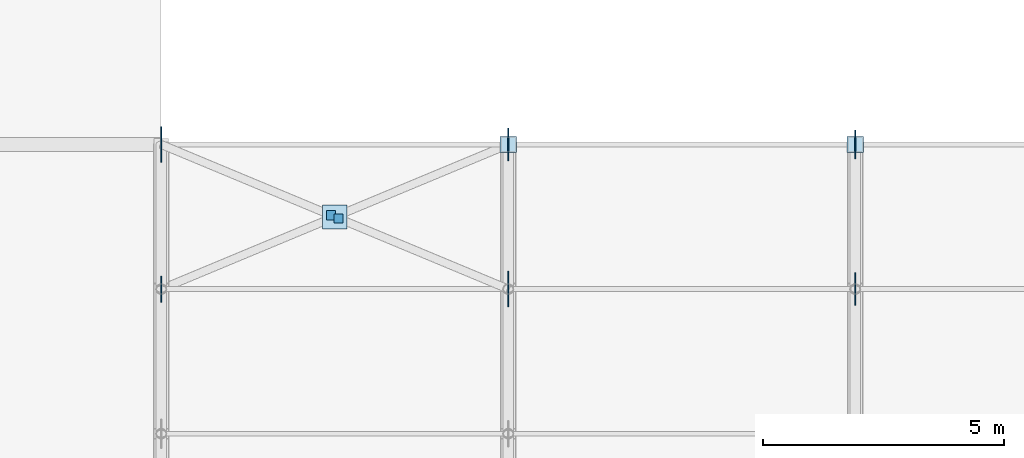
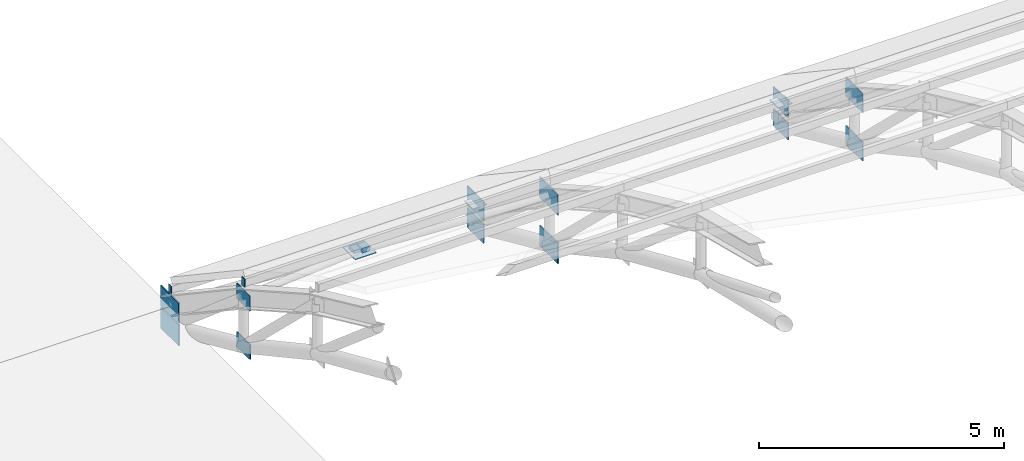
# One storey, part 50 of 63: 19 plates.
"""IFC4 building model written with IfcOpenShell, lengths in metres."""

from ifc_helpers import new_model, si_unit, direction, frame, origin, origin_2d, place, context, subcontext, project, spatial, rectangle, extrude, material, layer, layer_set, type_object, element, save


model = new_model("IFC4")

# Units and contexts
model_context = context("Model", 3, precision=1e-05, world=origin(), true_north=direction((0.0, 1.0)))
body_context = subcontext(model_context, "Body", "Model", "MODEL_VIEW")
ifc_project = project(units=[si_unit("LENGTHUNIT", "METRE"), si_unit("AREAUNIT", "SQUARE_METRE"), si_unit("VOLUMEUNIT", "CUBIC_METRE"), si_unit("PLANEANGLEUNIT", "RADIAN"), si_unit("MASSUNIT", "GRAM", prefix="KILO")], contexts=[model_context])

# Site, building, storey
site_placement = place(None, origin())
site = spatial("IfcSite", under=ifc_project, at=site_placement, CompositionType="ELEMENT")
building_placement = place(site_placement, origin())
building = spatial("IfcBuilding", under=site, at=building_placement, Name="Solvadek Multi-Sports Hall", CompositionType="ELEMENT")
storey_placement = place(building_placement, frame((0.0, 0.0, 19.199951171875)))
storey = spatial("IfcBuildingStorey", under=building, at=storey_placement, Name="RF", CompositionType="ELEMENT", Elevation=19.199951171875)

# Plates
ifc_material = material(Name="Steel E350 (350 MPa)", Category="steel")
ifc_layer_1 = layer(ifc_material, 0.01611328125, Name="Steel E350 (350 MPa)")
ifc_layer_set_1 = layer_set([ifc_layer_1], Name="Steel E350 (350 MPa)")
plate_type_1 = type_object("IfcPlateType", Name="STR-PLT-CAP16", PredefinedType="USERDEFINED", material=ifc_layer_set_1)
for number, where, z_axis, x_axis, name in (
    (1, (86.39599609375, 39.0, -1.28125), (0.0, 0.0, 1.0), (1.0, 0.0, 0.0), "V1 Purlin End Cap Plate #8"),
    (2, (86.39599609375, 42.0, -3.28515625), (0.0, 0.0, 1.0), (1.0, 0.0, 0.0), "V1 Purlin End Cap Plate #9"),
):
    element("IfcPlate", number, at=place(storey_placement, frame(where, z_axis=z_axis, x_axis=x_axis)), inside=storey, type_object=plate_type_1, Name=name, ObjectType="BASE_PLATE", PredefinedType="USERDEFINED", context=body_context, shape_type="SweptSolid", body=[
        extrude(rectangle(XDim=0.01611328125, YDim=0.1201171875, at=origin_2d()), origin(), (0.0, 0.0, 1.0), 0.219970703125),
    ])
for number, where, z_axis, x_axis, name in (
    (3, (89.92138671875, 40.53271484375, -2.6748046875), (0.0, 0.0, 1.0), (1.0, 0.0, 0.0), "V1 Half-Brace End Cap #12"),
    (4, (90.07861328125, 40.46728515625, -2.630859375), (0.0, 0.0, 1.0), (1.0, 0.0, 0.0), "V1 Half-Brace End Cap #13"),
):
    element("IfcPlate", number, at=place(storey_placement, frame(where, z_axis=z_axis, x_axis=x_axis)), inside=storey, type_object=plate_type_1, Name=name, ObjectType="BASE_PLATE", PredefinedType="USERDEFINED", context=body_context, shape_type="SweptSolid", body=[
        extrude(rectangle(XDim=0.18994140625, YDim=0.18994140625, at=origin_2d()), origin(), (0.0, 0.0, 1.0), 0.2099609375),
    ])
ifc_layer_2 = layer(ifc_material, 0.02001953125, Name="Steel E350 (350 MPa)")
ifc_layer_set_2 = layer_set([ifc_layer_2], Name="Steel E350 (350 MPa)")
plate_type_2 = type_object("IfcPlateType", Name="STR-PLT-CAP340", PredefinedType="USERDEFINED", material=ifc_layer_set_2)
for number, where, z_axis, x_axis, name in (
    (5, (93.60009765625, 42.0, -3.550048828125), (0.0, 0.0, 1.0), (1.0, 0.0, 0.0), "v1 Bearing Post Cap #2.8"),
    (6, (100.800048828125, 42.0, -3.550048828125), (0.0, 0.0, 1.0), (1.0, 0.0, 0.0), "v1 Bearing Post Cap #3.8"),
):
    element("IfcPlate", number, at=place(storey_placement, frame(where, z_axis=z_axis, x_axis=x_axis)), inside=storey, type_object=plate_type_2, Name=name, ObjectType="BASE_PLATE", PredefinedType="USERDEFINED", context=body_context, shape_type="SweptSolid", body=[
        extrude(rectangle(XDim=0.340087890625, YDim=0.340087890625, at=origin_2d()), origin(), (0.0, 0.0, 1.0), 0.02001953125),
    ])
ifc_layer_3 = layer(ifc_material, 0.02001953125, Name="Steel E350 (350 MPa)")
ifc_layer_set_3 = layer_set([ifc_layer_3], Name="Steel E350 (350 MPa)")
plate_type_3 = type_object("IfcPlateType", Name="STR-PLT-GP20", PredefinedType="USERDEFINED", material=ifc_layer_set_3)
plate_placement = place(storey_placement, frame((90.0, 40.5, -2.557861328125), z_axis=(0.0, 0.0, 1.0), x_axis=(1.0, 0.0, 0.0)))
element("IfcPlate", 7, at=plate_placement, inside=storey, type_object=plate_type_3, Name="V1 Roof X-Brace Crossing Gusset #146", ObjectType="GUSSET_PLATE", PredefinedType="USERDEFINED", context=body_context, shape_type="SweptSolid", body=[
    extrude(rectangle(XDim=0.5, YDim=0.5, at=origin_2d()), origin(), (0.0, 0.0, 1.0), 0.02001953125),
])
ifc_layer_4 = layer(ifc_material, 0.02197265625, Name="Steel E350 (350 MPa)")
ifc_layer_set_4 = layer_set([ifc_layer_4], Name="Steel E350 (350 MPa)")
plate_type_4 = type_object("IfcPlateType", Name="STR-PLT-GUS540", PredefinedType="USERDEFINED", material=ifc_layer_set_4)
for number, where, z_axis, x_axis, name in (
    (8, (86.39990234375, 39.0, -1.735595703125), (0.0, 0.0, 1.0), (0.0, 1.0, 0.0), "V1 Truss Top Gusset Plate #15"),
    (9, (86.39990234375, 39.0, -2.944091796875), (0.0, 0.0, 1.0), (0.0, 1.0, 0.0), "V1 Truss Bottom Gusset Plate #16"),
):
    element("IfcPlate", number, at=place(storey_placement, frame(where, z_axis=z_axis, x_axis=x_axis)), inside=storey, type_object=plate_type_4, Name=name, ObjectType="GUSSET_PLATE", PredefinedType="USERDEFINED", context=body_context, shape_type="SweptSolid", body=[
        extrude(rectangle(XDim=0.5400390625, YDim=0.02197265625, at=origin_2d()), origin(), (0.0, 0.0, 1.0), 0.3798828125),
    ])
ifc_layer_5 = layer(ifc_material, 0.02392578125, Name="Steel E350 (350 MPa)")
ifc_layer_set_5 = layer_set([ifc_layer_5], Name="Steel E350 (350 MPa)")
plate_type_5 = type_object("IfcPlateType", Name="STR-PLT-GUS600", PredefinedType="USERDEFINED", material=ifc_layer_set_5)
for number, where, z_axis, x_axis, name in (
    (10, (100.800048828125, 42.0, -3.760009765625), (0.0, 0.0, 1.0), (0.0, 1.0, 0.0), "V1 Truss Top Gusset Plate #53"),
    (11, (100.800048828125, 42.0, -4.309814453125), (0.0, 0.0, 1.0), (0.0, 1.0, 0.0), "V1 Truss Bottom Gusset Plate #54"),
):
    element("IfcPlate", number, at=place(storey_placement, frame(where, z_axis=z_axis, x_axis=x_axis)), inside=storey, type_object=plate_type_5, Name=name, ObjectType="GUSSET_PLATE", PredefinedType="USERDEFINED", context=body_context, shape_type="SweptSolid", body=[
        extrude(rectangle(XDim=0.60009765625, YDim=0.02392578125, at=origin_2d()), origin(), (0.0, 0.0, 1.0), 0.419921875),
    ])
ifc_layer_6 = layer(ifc_material, 0.02587890625, Name="Steel E350 (350 MPa)")
ifc_layer_set_6 = layer_set([ifc_layer_6], Name="Steel E350 (350 MPa)")
plate_type_6 = type_object("IfcPlateType", Name="STR-PLT-GUS680", PredefinedType="USERDEFINED", material=ifc_layer_set_6)
for number, where, z_axis, x_axis, name in (
    (12, (93.60009765625, 42.0, -3.7900390625), (0.0, 0.0, 1.0), (0.0, 1.0, 0.0), "V1 Truss Top Gusset Plate #35"),
    (13, (93.60009765625, 42.0, -4.33984375), (0.0, 0.0, 1.0), (0.0, 1.0, 0.0), "V1 Truss Bottom Gusset Plate #36"),
    (14, (100.800048828125, 39.0, -1.78564453125), (0.0, 0.0, 1.0), (0.0, 1.0, 0.0), "V1 Truss Top Gusset Plate #51"),
    (15, (100.800048828125, 39.0, -2.994140625), (0.0, 0.0, 1.0), (0.0, 1.0, 0.0), "V1 Truss Bottom Gusset Plate #52"),
):
    element("IfcPlate", number, at=place(storey_placement, frame(where, z_axis=z_axis, x_axis=x_axis)), inside=storey, type_object=plate_type_6, Name=name, ObjectType="GUSSET_PLATE", PredefinedType="USERDEFINED", context=body_context, shape_type="SweptSolid", body=[
        extrude(rectangle(XDim=0.679931640625, YDim=0.02587890625, at=origin_2d()), origin(), (0.0, 0.0, 1.0), 0.47998046875),
    ])
ifc_layer_7 = layer(ifc_material, 0.028076171875, Name="Steel E350 (350 MPa)")
ifc_layer_set_7 = layer_set([ifc_layer_7], Name="Steel E350 (350 MPa)")
plate_type_7 = type_object("IfcPlateType", Name="STR-PLT-GUS740", PredefinedType="USERDEFINED", material=ifc_layer_set_7)
for number, where, z_axis, x_axis, name in (
    (16, (86.39990234375, 42.0, -3.81005859375), (0.0, 0.0, 1.0), (0.0, 1.0, 0.0), "V1 Truss Top Gusset Plate #17"),
    (17, (86.39990234375, 42.0, -4.35986328125), (0.0, 0.0, 1.0), (0.0, 1.0, 0.0), "V1 Truss Bottom Gusset Plate #18"),
    (18, (93.60009765625, 39.0, -1.8056640625), (0.0, 0.0, 1.0), (0.0, 1.0, 0.0), "V1 Truss Top Gusset Plate #33"),
    (19, (93.60009765625, 39.0, -3.01416015625), (0.0, 0.0, 1.0), (0.0, 1.0, 0.0), "V1 Truss Bottom Gusset Plate #34"),
):
    element("IfcPlate", number, at=place(storey_placement, frame(where, z_axis=z_axis, x_axis=x_axis)), inside=storey, type_object=plate_type_7, Name=name, ObjectType="GUSSET_PLATE", PredefinedType="USERDEFINED", context=body_context, shape_type="SweptSolid", body=[
        extrude(rectangle(XDim=0.739990234375, YDim=0.028076171875, at=origin_2d()), origin(), (0.0, 0.0, 1.0), 0.52001953125),
    ])

save(model, "model.ifc")
